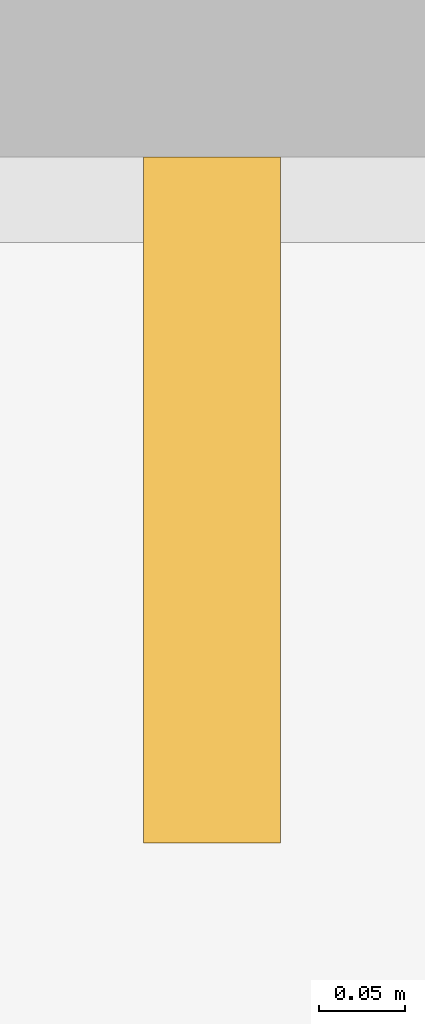
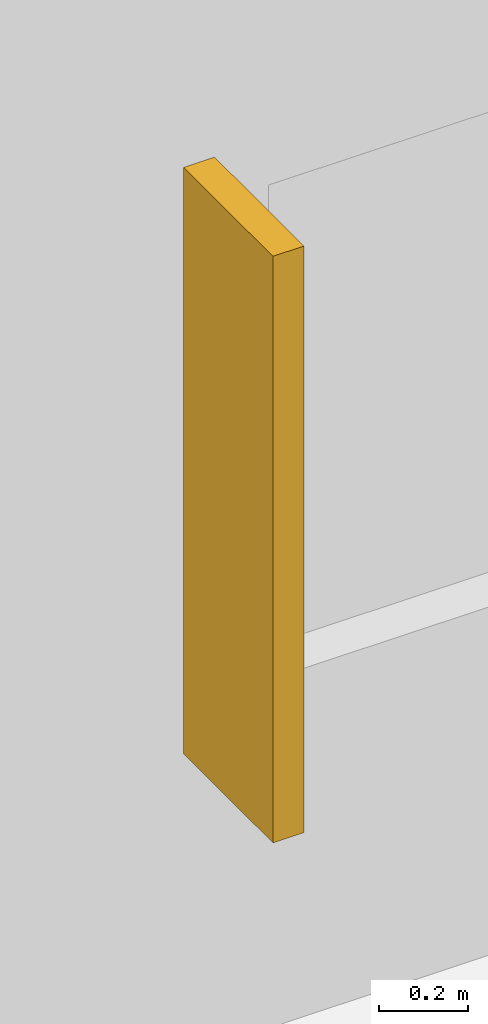
# One storey, part 130 of 138: 1 shading device.
"""IFC4 building model written with IfcOpenShell, lengths in metres."""

import ifcopenshell
import ifcopenshell.guid

model = None  # the IFC model being written
_history = None  # IfcOwnerHistory: only IFC2X3 demands one
_inside = {}  # id of a spatial element -> (the spatial element, [elements in it])
_under = {}  # id of a project, library or spatial element -> (it, [spatial elements below it])
_declared = {}  # id of a project -> (the project, [libraries it declares])
_typed = {}  # id of a type object -> (the type object, [elements of that type])
_made_of = {}  # id of a material, layer set ... -> (it, [elements and type objects made of it])


def new_model(schema):
    """Start an empty IFC model of exactly this schema.

    Asked for "IFC4X3", IfcOpenShell would pick the latest addendum, in which some entities
    have other attributes; the version numbers below select the first issue.
    IFC2X3 requires an IfcOwnerHistory on every rooted entity: one is made here for all.
    """
    global model, _history
    if schema == "IFC4X3":
        model = ifcopenshell.file(schema_version=(4, 3, 0, 0))
    else:
        model = ifcopenshell.file(schema=schema)
    _inside.clear()
    _under.clear()
    _declared.clear()
    _typed.clear()
    _made_of.clear()
    _history = None
    if model.schema == "IFC2X3":
        org = make("IfcOrganization", Name="unknown")
        user = make(
            "IfcPersonAndOrganization",
            ThePerson=make("IfcPerson", FamilyName="unknown"),
            TheOrganization=org,
        )
        app = make(
            "IfcApplication",
            ApplicationDeveloper=org,
            Version="unknown",
            ApplicationFullName="unknown",
            ApplicationIdentifier="unknown",
        )
        _history = make(
            "IfcOwnerHistory",
            OwningUser=user,
            OwningApplication=app,
            ChangeAction="ADDED",
            CreationDate=0,
        )
    return model


def make(cls, **values):
    """One entity of the class cls with the attributes given. An attribute that is None is left unset."""
    return model.create_entity(
        cls, **{name: value for name, value in values.items() if value is not None}
    )


def rooted(cls, **values):
    """An entity with a GlobalId (a new one), such as an element, a storey or a relation."""
    return make(cls, GlobalId=ifcopenshell.guid.new(), OwnerHistory=_history, **values)


def si_unit(unit_type, name, prefix=None):
    """IfcSIUnit, for example si_unit("LENGTHUNIT", "METRE", prefix="MILLI")."""
    return make("IfcSIUnit", UnitType=unit_type, Prefix=prefix, Name=name)


def assignment(units):
    """IfcUnitAssignment: the units of a project."""
    return None if units is None else make("IfcUnitAssignment", Units=units)


def point(xyz):
    """IfcCartesianPoint."""
    return None if xyz is None else make("IfcCartesianPoint", Coordinates=xyz)


def direction(xyz):
    """IfcDirection."""
    return None if xyz is None else make("IfcDirection", DirectionRatios=xyz)


def frame(location, z_axis=None, x_axis=None):
    """IfcAxis2Placement3D, a coordinate frame: its origin and axes. An axis left out is left unset."""
    return make(
        "IfcAxis2Placement3D",
        Location=point(location),
        Axis=direction(z_axis),
        RefDirection=direction(x_axis),
    )


def frame_2d(location, x_axis=None):
    """IfcAxis2Placement2D, a coordinate frame in the plane: its origin and x axis."""
    return make(
        "IfcAxis2Placement2D", Location=point(location), RefDirection=direction(x_axis)
    )


def origin():
    """The frame at (0, 0, 0) with its axes left unset."""
    return frame((0.0, 0.0, 0.0))


def origin_2d():
    """The frame at (0, 0) in the plane with its x axis left unset."""
    return frame_2d((0.0, 0.0))


def place(relative_to, where):
    """IfcLocalPlacement: puts the frame where relative to a parent placement (None: the world)."""
    return make(
        "IfcLocalPlacement", PlacementRelTo=relative_to, RelativePlacement=where
    )


def context(
    kind, dimensions, precision=None, world=None, true_north=None, identifier=None
):
    """IfcGeometricRepresentationContext, for example the 3D "Model" context."""
    return make(
        "IfcGeometricRepresentationContext",
        ContextIdentifier=identifier,
        ContextType=kind,
        CoordinateSpaceDimension=dimensions,
        Precision=precision,
        WorldCoordinateSystem=world,
        TrueNorth=true_north,
    )


def subcontext(parent, identifier, kind, view, scale=None):
    """IfcGeometricRepresentationSubContext, for example "Body" below "Model"."""
    return make(
        "IfcGeometricRepresentationSubContext",
        ContextIdentifier=identifier,
        ContextType=kind,
        ParentContext=parent,
        TargetScale=scale,
        TargetView=view,
    )


def project(units=None, contexts=None):
    """IfcProject with its units and contexts."""
    return rooted(
        "IfcProject",
        Name="project",
        RepresentationContexts=contexts,
        UnitsInContext=assignment(units),
    )


def spatial(cls, under=None, at=None, **own):
    """A site, building, storey or space (cls), placed at a placement, below another one or the project."""
    s = rooted(cls, ObjectPlacement=at, **own)
    if under is not None:
        _under.setdefault(under.id(), (under, []))[1].append(s)
    return s


def profile(cls, at=None, kind="AREA", **sizes):
    """A parametric profile (cls). Its sizes go by their IFC names, for example OverallWidth=200.0."""
    return make(cls, ProfileType=kind, Position=at, **sizes)


def rectangle(**sizes):
    """IfcRectangleProfileDef."""
    return profile("IfcRectangleProfileDef", **sizes)


def extrude(swept, where, along, depth):
    """IfcExtrudedAreaSolid: the profile swept, set in the frame where, extruded along a direction by depth."""
    return make(
        "IfcExtrudedAreaSolid",
        SweptArea=swept,
        Position=where,
        ExtrudedDirection=direction(along),
        Depth=depth,
    )


def shape(context_of_items, identifier, shape_type, items):
    """IfcShapeRepresentation: the items that make up one representation, for example the "Body"."""
    return make(
        "IfcShapeRepresentation",
        ContextOfItems=context_of_items,
        RepresentationIdentifier=identifier,
        RepresentationType=shape_type,
        Items=items,
    )


def material(Name=None, Category=None):
    """IfcMaterial."""
    return make("IfcMaterial", Name=Name, Category=Category)


def made_of(thing, what):
    """Note that an element or type object is made of a material, layer set ...; save() writes the relation."""
    if what is not None:
        _made_of.setdefault(what.id(), (what, []))[1].append(thing)
    return thing


def type_object(cls, material=None, **own):
    """A type object (cls), such as IfcWallType, which elements share."""
    return made_of(rooted(cls, **own), material)


def element(
    cls,
    number,
    at=None,
    inside=None,
    cuts=None,
    type_object=None,
    material=None,
    context=None,
    identifier="Body",
    shape_type=None,
    held_by="IfcProductDefinitionShape",
    body=None,
    shapes=None,
    **own,
):
    """One element of the class cls, such as IfcWall. Its Tag is "e" and its number.

    at: its placement. inside: the storey or other place that contains it. cuts: it is an
    opening in that element (IfcRelVoidsElement). A single representation is given by context,
    identifier, shape_type and body (its items); several are given by shapes. held_by: the class
    of the entity that holds the representations. save() writes the other relations.
    """
    e = rooted(cls, Tag="e%d" % number, ObjectPlacement=at, **own)
    if body is not None:
        shapes = [shape(context, identifier, shape_type, body)]
    if shapes is not None:
        e.Representation = make(held_by, Representations=shapes)
    if inside is not None:
        _inside.setdefault(inside.id(), (inside, []))[1].append(e)
    if cuts is not None:
        rooted(
            "IfcRelVoidsElement", RelatingBuildingElement=cuts, RelatedOpeningElement=e
        )
    if type_object is not None:
        _typed.setdefault(type_object.id(), (type_object, []))[1].append(e)
    return made_of(e, material)


def aggregate(whole, parts):
    """IfcRelAggregates: a whole, such as a stair, and the parts it consists of."""
    return rooted("IfcRelAggregates", RelatingObject=whole, RelatedObjects=parts)


def save(model, path):
    """Write the relations noted so far, then the file.

    IfcRelAggregates (storeys below a building ...), IfcRelContainedInSpatialStructure (elements
    in a storey), IfcRelDefinesByType, IfcRelAssociatesMaterial and IfcRelDeclares: one each for
    every whole, place, type object, material and project.
    """
    for whole, parts in _under.values():
        aggregate(whole, parts)
    for where, things in _inside.values():
        rooted(
            "IfcRelContainedInSpatialStructure",
            RelatedElements=things,
            RelatingStructure=where,
        )
    for kind, things in _typed.values():
        rooted("IfcRelDefinesByType", RelatedObjects=things, RelatingType=kind)
    for what, things in _made_of.values():
        rooted("IfcRelAssociatesMaterial", RelatedObjects=things, RelatingMaterial=what)
    for by, libraries in _declared.values():
        rooted("IfcRelDeclares", RelatingContext=by, RelatedDefinitions=libraries)
    model.write(path)


model = new_model("IFC4")

# Units and contexts
model_context = context("Model", 3, precision=1e-05, world=origin(), true_north=direction((0.0, 1.0)))
body_context = subcontext(model_context, "Body", "Model", "MODEL_VIEW")
ifc_project = project(units=[si_unit("LENGTHUNIT", "METRE"), si_unit("AREAUNIT", "SQUARE_METRE"), si_unit("VOLUMEUNIT", "CUBIC_METRE"), si_unit("PLANEANGLEUNIT", "RADIAN"), si_unit("MASSUNIT", "GRAM", prefix="KILO")], contexts=[model_context])

# Site, building, storey
site_placement = place(None, origin())
site = spatial("IfcSite", under=ifc_project, at=site_placement, CompositionType="ELEMENT")
building_placement = place(site_placement, origin())
building = spatial("IfcBuilding", under=site, at=building_placement, Name="Fikremerkos Civic Library", CompositionType="ELEMENT")
storey_placement = place(building_placement, origin())
storey = spatial("IfcBuildingStorey", under=building, at=storey_placement, Name="L00", CompositionType="ELEMENT", Elevation=0.0)

# Shading device
ifc_material = material(Name="Bronze anodized aluminium", Category="aluminium")
shading_device_type = type_object("IfcShadingDeviceType", Name="Perforated bronze vertical solar fin SHD-02", PredefinedType="USERDEFINED", material=ifc_material)
shading_device_placement = place(storey_placement, frame((118.169921875, 47.64990234375, 0.824951171875), z_axis=(0.0, 0.0, 1.0), x_axis=(1.0, 0.0, 0.0)))
element("IfcShadingDevice", 1, at=shading_device_placement, inside=storey, type_object=shading_device_type, Name="Vertical bronze solar fin SHD-02 L00 #9", ObjectType="SOLAR FIN", PredefinedType="USERDEFINED", context=body_context, shape_type="SweptSolid", body=[
    extrude(rectangle(XDim=0.080078125, YDim=0.39990234375, at=origin_2d()), origin(), (0.0, 0.0, 1.0), 1.60009765625),
])

save(model, "model.ifc")
